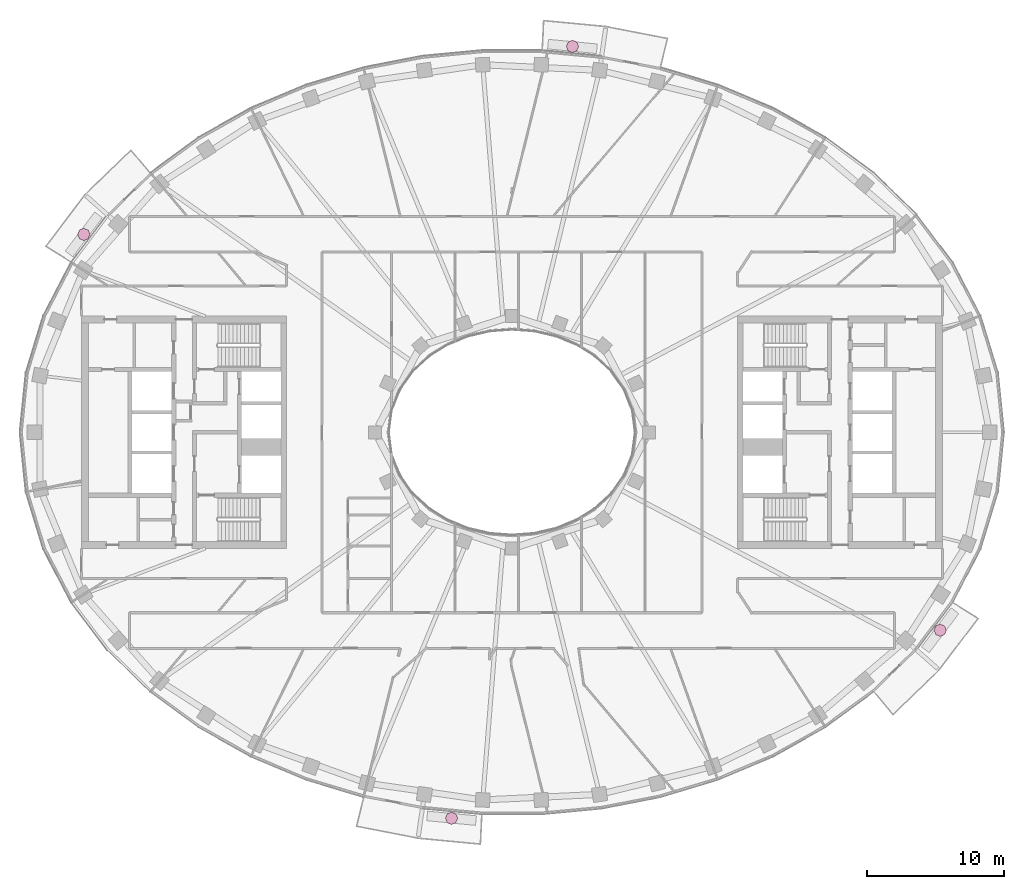
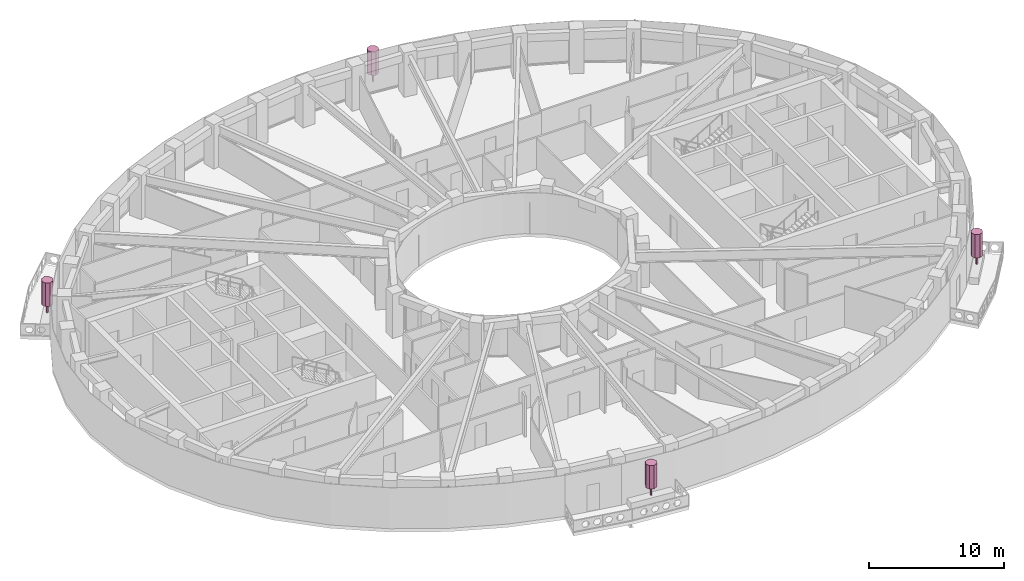
# One storey, part 16 of 16: 4 furnishings.
"""IFC4 building model written with IfcOpenShell, lengths in metres."""

from ifc_helpers import new_model, si_unit, direction, frame, origin, origin_2d, place, context, subcontext, project, spatial, polyline, rectangle, outline, extrude, material, type_object, element, save


model = new_model("IFC4")

# Units and contexts
model_context = context("Model", 3, precision=1e-05, world=origin(), true_north=direction((0.0, 1.0)))
body_context = subcontext(model_context, "Body", "Model", "MODEL_VIEW")
ifc_project = project(units=[si_unit("LENGTHUNIT", "METRE"), si_unit("AREAUNIT", "SQUARE_METRE"), si_unit("VOLUMEUNIT", "CUBIC_METRE"), si_unit("PLANEANGLEUNIT", "RADIAN"), si_unit("MASSUNIT", "GRAM", prefix="KILO")], contexts=[model_context])

# Site, building, storey
site_placement = place(None, origin())
site = spatial("IfcSite", under=ifc_project, at=site_placement, CompositionType="ELEMENT")
building_placement = place(site_placement, origin())
building = spatial("IfcBuilding", under=site, at=building_placement, Name="Noorbagh Ring Tower", CompositionType="ELEMENT")
storey_placement = place(building_placement, frame((0.0, 0.0, 273.5)))
storey = spatial("IfcBuildingStorey", under=building, at=storey_placement, Name="L58", CompositionType="ELEMENT", Elevation=273.5)

# Furnishings
ifc_material = material(Name="Planting foliage green")
furnishing_element_type = type_object("IfcFurnishingElementType", Name="ENV-TREE", material=ifc_material)
for number, where, z_axis, x_axis, name in (
    (1, (4.423828125, 28.2373046875, 0.60009765625), (0.0, 0.0, 1.0), (1.0, 0.0, 0.0), "Tree BN03"),
    (2, (-31.329833984375, 14.4833984375, 0.60009765625), (0.0, 0.0, 1.0), (1.0, 0.0, 0.0), "Tree BN06"),
    (3, (-4.423828125, -28.2373046875, 0.60009765625), (0.0, 0.0, 1.0), (1.0, 0.0, 0.0), "Tree BS03"),
    (4, (31.329833984375, -14.4833984375, 0.60009765625), (0.0, 0.0, 1.0), (1.0, 0.0, 0.0), "Tree BS06"),
):
    element("IfcFurnishingElement", number, at=place(storey_placement, frame(where, z_axis=z_axis, x_axis=x_axis)), inside=storey, type_object=furnishing_element_type, Name=name, context=body_context, shape_type="SweptSolid", body=[
        extrude(rectangle(XDim=0.1201171875, YDim=0.1201171875, at=origin_2d()), origin(), (0.0, 0.0, 1.0), 0.825927734375),
        extrude(outline(polyline([(0.449951171875, 0.0), (0.318115234375, 0.318115234375), (0.0, 0.449951171875), (-0.318115234375, 0.318115234375), (-0.449951171875, 0.0), (-0.318115234375, -0.318115234375), (0.0, -0.449951171875), (0.318115234375, -0.318115234375), (0.449951171875, 0.0)])), frame((0.0, 0.0, 0.825927734375)), (0.0, 0.0, 1.0), 2.1240234375),
    ])

save(model, "model.ifc")
